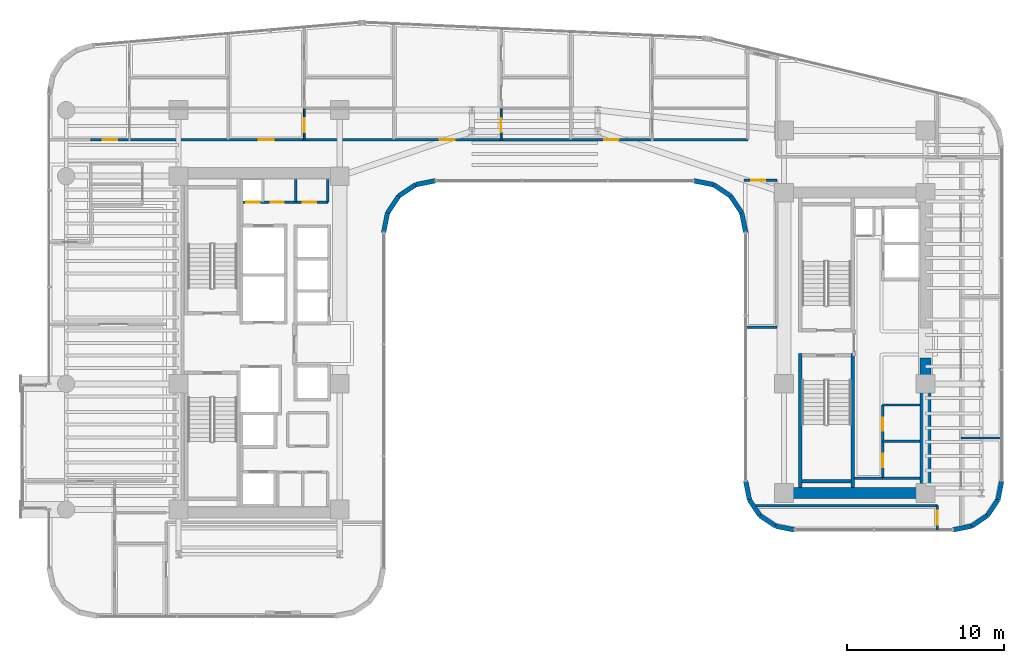
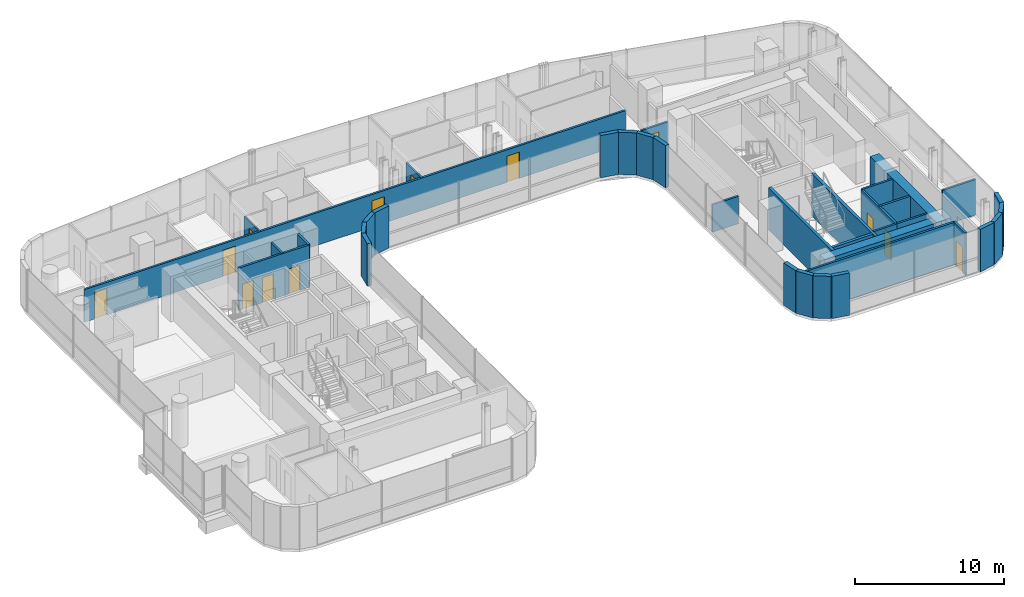
# One storey, part 30 of 38: 37 walls, 13 doors, 13 openings.
"""IFC4 building model written with IfcOpenShell, lengths in metres."""

from ifc_helpers import new_model, si_unit, direction, frame, frame_2d, origin, place, context, subcontext, project, spatial, rectangle, extrude, material, layer, layer_set, type_object, element, fill, save


model = new_model("IFC4")

# Units and contexts
model_context = context("Model", 3, precision=1e-05, world=origin(), true_north=direction((0.0, 1.0)))
body_context = subcontext(model_context, "Body", "Model", "MODEL_VIEW")
ifc_project = project(units=[si_unit("LENGTHUNIT", "METRE"), si_unit("AREAUNIT", "SQUARE_METRE"), si_unit("VOLUMEUNIT", "CUBIC_METRE"), si_unit("PLANEANGLEUNIT", "RADIAN"), si_unit("MASSUNIT", "GRAM", prefix="KILO")], contexts=[model_context])

# Site, building, storey
site_placement = place(None, origin())
site = spatial("IfcSite", under=ifc_project, at=site_placement, CompositionType="ELEMENT")
building_placement = place(site_placement, origin())
building = spatial("IfcBuilding", under=site, at=building_placement, Name="Valdorenza Pilgrim Sanctuary Tower", CompositionType="ELEMENT")
storey_placement = place(building_placement, frame((0.0, 0.0, 131.60009765625)))
storey = spatial("IfcBuildingStorey", under=building, at=storey_placement, Name="L33", CompositionType="ELEMENT", Elevation=131.60009765625)

# Wall, openings, doors
ifc_material_1 = material(Name="Acoustic twin-stud gypsum partition", Category="gypsum")
ifc_layer_1 = layer(ifc_material_1, 0.159912109375, Name="Acoustic twin-stud gypsum partition")
ifc_layer_set_1 = layer_set([ifc_layer_1], Name="Acoustic twin-stud gypsum partition")
wall_type_1 = type_object("IfcWallType", Name="WAL-COR-160", PredefinedType="PARTITIONING", material=ifc_layer_set_1)
wall_1_placement = place(storey_placement, frame((-18.64990234375, 8.949951171875, 0.0), z_axis=(0.0, 0.0, 1.0), x_axis=(1.0, 0.0, 0.0)))
wall_1 = element("IfcWall", 1, at=wall_1_placement, inside=storey, type_object=wall_type_1, Name="L33 Core A North Service South Wall", PredefinedType="PARTITIONING", context=body_context, shape_type="SweptSolid", body=[
    extrude(rectangle(XDim=5.5, YDim=0.159912109375, at=frame_2d((2.75, 0.0))), origin(), (0.0, 0.0, 1.0), 3.4599609375),
])
opening_1_placement = place(wall_1_placement, frame((0.300048828125, 0.0, 0.0)))
opening_1 = element("IfcOpeningElement", 2, at=opening_1_placement, cuts=wall_1, Name="Opening DR-RS1", PredefinedType="OPENING", context=body_context, shape_type="SweptSolid", body=[
    extrude(rectangle(XDim=0.85009765625, YDim=2.050048828125, at=frame_2d((0.425048828125, 1.02490234375))), frame((0.0, 0.0947265625, 0.0), z_axis=(0.0, -1.0, 0.0), x_axis=(1.0, 0.0, 0.0)), (0.0, 0.0, 1.0), 0.189697265625),
])
opening_2_placement = place(wall_1_placement, frame((1.85009765625, 0.0, 0.0)))
opening_2 = element("IfcOpeningElement", 3, at=opening_2_placement, cuts=wall_1, Name="Opening DR-RS1", PredefinedType="OPENING", context=body_context, shape_type="SweptSolid", body=[
    extrude(rectangle(XDim=0.85009765625, YDim=2.050048828125, at=frame_2d((0.425048828125, 1.02490234375))), frame((0.0, 0.0947265625, 0.0), z_axis=(0.0, -1.0, 0.0), x_axis=(1.0, 0.0, 0.0)), (0.0, 0.0, 1.0), 0.189697265625),
])
opening_3_placement = place(wall_1_placement, frame((3.89990234375, 0.0, 0.0)))
opening_3 = element("IfcOpeningElement", 4, at=opening_3_placement, cuts=wall_1, Name="Opening DR-RS1", PredefinedType="OPENING", context=body_context, shape_type="SweptSolid", body=[
    extrude(rectangle(XDim=0.85009765625, YDim=2.050048828125, at=frame_2d((0.425048828125, 1.02490234375))), frame((0.0, 0.0947265625, 0.0), z_axis=(0.0, -1.0, 0.0), x_axis=(1.0, 0.0, 0.0)), (0.0, 0.0, 1.0), 0.189697265625),
])
ifc_material_2 = material(Name="Painted galvanized steel", Category="steel")
door_type_1 = type_object("IfcDoorType", Name="DR-RSR-850", OperationType="NOTDEFINED", PredefinedType="DOOR", material=ifc_material_2)
door_1_placement = place(opening_1_placement, origin())
door_1 = element("IfcDoor", 5, at=door_1_placement, inside=storey, type_object=door_type_1, Name="L33 Core Electrical and Telecom Riser Door", OperationType="SINGLE_SWING_LEFT", OverallHeight=2.050048828125, OverallWidth=0.85009765625, PredefinedType="DOOR", context=body_context, shape_type="SweptSolid", body=[
    extrude(rectangle(XDim=0.85009765625, YDim=2.050048828125, at=frame_2d((0.425048828125, 1.02490234375))), frame((0.0, 0.02490234375, 0.0), z_axis=(0.0, -1.0, 0.0), x_axis=(1.0, 0.0, 0.0)), (0.0, 0.0, 1.0), 0.050048828125),
])
fill(opening_1, door_1)
door_2_placement = place(opening_2_placement, origin())
door_2 = element("IfcDoor", 6, at=door_2_placement, inside=storey, type_object=door_type_1, Name="L33 Housekeeping and Clean Linen Room Door", OperationType="SINGLE_SWING_RIGHT", OverallHeight=2.050048828125, OverallWidth=0.85009765625, PredefinedType="DOOR", context=body_context, shape_type="SweptSolid", body=[
    extrude(rectangle(XDim=0.85009765625, YDim=2.050048828125, at=frame_2d((0.425048828125, 1.02490234375))), frame((0.0, 0.02490234375, 0.0), z_axis=(0.0, -1.0, 0.0), x_axis=(1.0, 0.0, 0.0)), (0.0, 0.0, 1.0), 0.050048828125),
])
fill(opening_2, door_2)
door_3_placement = place(opening_3_placement, origin())
door_3 = element("IfcDoor", 7, at=door_3_placement, inside=storey, type_object=door_type_1, Name="L33 Guest Ice and Vending Pantry Door", OperationType="SINGLE_SWING_LEFT", OverallHeight=2.050048828125, OverallWidth=0.85009765625, PredefinedType="DOOR", context=body_context, shape_type="SweptSolid", body=[
    extrude(rectangle(XDim=0.85009765625, YDim=2.050048828125, at=frame_2d((0.425048828125, 1.02490234375))), frame((0.0, 0.02490234375, 0.0), z_axis=(0.0, -1.0, 0.0), x_axis=(1.0, 0.0, 0.0)), (0.0, 0.0, 1.0), 0.050048828125),
])
fill(opening_3, door_3)

# Walls
for number, where, z_axis, x_axis, name in (
    (8, (-13.14990234375, 8.949951171875, 0.0), (0.0, 0.0, 1.0), (0.0, 1.0, 0.0), "L33 Core A North Service East Wall"),
    (9, (-15.199951171875, 8.949951171875, 0.0), (0.0, 0.0, 1.0), (0.0, 1.0, 0.0), "L33 Core A Housekeeping Split B"),
):
    element("IfcWall", number, at=place(storey_placement, frame(where, z_axis=z_axis, x_axis=x_axis)), inside=storey, type_object=wall_type_1, Name=name, PredefinedType="PARTITIONING", context=body_context, shape_type="SweptSolid", body=[
        extrude(rectangle(XDim=1.429931640625, YDim=0.159912109375, at=frame_2d((0.71484375, 0.0))), origin(), (0.0, 0.0, 1.0), 3.4599609375),
    ])
wall_2_placement = place(storey_placement, frame((20.300048828125, -8.60009765625, 0.0), z_axis=(0.0, 0.0, 1.0), x_axis=(1.0, 0.0, 0.0)))
element("IfcWall", 10, at=wall_2_placement, inside=storey, type_object=wall_type_1, Name="L33 Core B Lift Hall South End Wall", PredefinedType="PARTITIONING", context=body_context, shape_type="SweptSolid", body=[
    extrude(rectangle(XDim=1.820068359375, YDim=0.159912109375, at=frame_2d((0.91015625, 0.0))), origin(), (0.0, 0.0, 1.0), 3.4599609375),
])

# Wall, openings, doors
wall_3_placement = place(storey_placement, frame((22.1201171875, -8.60009765625, 0.0), z_axis=(0.0, 0.0, 1.0), x_axis=(0.0, 1.0, 0.0)))
wall_3 = element("IfcWall", 11, at=wall_3_placement, inside=storey, type_object=wall_type_1, Name="L33 Core B Freed Shaft West Wall", PredefinedType="PARTITIONING", context=body_context, shape_type="SweptSolid", body=[
    extrude(rectangle(XDim=4.650146484375, YDim=0.159912109375, at=frame_2d((2.3251953125, 0.0))), origin(), (0.0, 0.0, 1.0), 3.4599609375),
])
opening_4_placement = place(wall_3_placement, frame((0.699951171875, 0.0, 0.0)))
opening_4 = element("IfcOpeningElement", 12, at=opening_4_placement, cuts=wall_3, Name="Opening DR-RS1", PredefinedType="OPENING", context=body_context, shape_type="SweptSolid", body=[
    extrude(rectangle(XDim=0.85009765625, YDim=2.050048828125, at=frame_2d((0.425048828125, 1.02490234375))), frame((0.0, 0.0947265625, 0.0), z_axis=(0.0, -1.0, 0.0), x_axis=(1.0, 0.0, 0.0)), (0.0, 0.0, 1.0), 0.189697265625),
])
opening_5_placement = place(wall_3_placement, frame((3.0, 0.0, 0.0)))
opening_5 = element("IfcOpeningElement", 13, at=opening_5_placement, cuts=wall_3, Name="Opening DR-RS1", PredefinedType="OPENING", context=body_context, shape_type="SweptSolid", body=[
    extrude(rectangle(XDim=0.85009765625, YDim=2.050048828125, at=frame_2d((0.425048828125, 1.02490234375))), frame((0.0, 0.0947265625, 0.0), z_axis=(0.0, -1.0, 0.0), x_axis=(1.0, 0.0, 0.0)), (0.0, 0.0, 1.0), 0.189697265625),
])
door_4_placement = place(opening_4_placement, origin())
door_4 = element("IfcDoor", 14, at=door_4_placement, inside=storey, type_object=door_type_1, Name="L33 East Core Housekeeping Store Door", OperationType="SINGLE_SWING_LEFT", OverallHeight=2.050048828125, OverallWidth=0.85009765625, PredefinedType="DOOR", context=body_context, shape_type="SweptSolid", body=[
    extrude(rectangle(XDim=0.85009765625, YDim=2.050048828125, at=frame_2d((0.425048828125, 1.02490234375))), frame((0.0, 0.02490234375, 0.0), z_axis=(0.0, -1.0, 0.0), x_axis=(1.0, 0.0, 0.0)), (0.0, 0.0, 1.0), 0.050048828125),
])
fill(opening_4, door_4)
door_5_placement = place(opening_5_placement, origin())
door_5 = element("IfcDoor", 15, at=door_5_placement, inside=storey, type_object=door_type_1, Name="L33 East Core Tea Pantry Door", OperationType="SINGLE_SWING_RIGHT", OverallHeight=2.050048828125, OverallWidth=0.85009765625, PredefinedType="DOOR", context=body_context, shape_type="SweptSolid", body=[
    extrude(rectangle(XDim=0.85009765625, YDim=2.050048828125, at=frame_2d((0.425048828125, 1.02490234375))), frame((0.0, 0.02490234375, 0.0), z_axis=(0.0, -1.0, 0.0), x_axis=(1.0, 0.0, 0.0)), (0.0, 0.0, 1.0), 0.050048828125),
])
fill(opening_5, door_5)

# Wall
wall_4_placement = place(storey_placement, frame((22.1201171875, -6.25, 0.0), z_axis=(0.0, 0.0, 1.0), x_axis=(1.0, 0.0, 0.0)))
element("IfcWall", 16, at=wall_4_placement, inside=storey, type_object=wall_type_1, Name="L33 Core B Freed Split", PredefinedType="PARTITIONING", context=body_context, shape_type="SweptSolid", body=[
    extrude(rectangle(XDim=2.3798828125, YDim=0.159912109375, at=frame_2d((1.18994140625, 0.0))), origin(), (0.0, 0.0, 1.0), 3.4599609375),
])

# Wall, openings, doors
wall_5_placement = place(storey_placement, frame((-28.25, 12.919921875, 0.0), z_axis=(0.0, 0.0, 1.0), x_axis=(1.0, 0.0, 0.0)))
wall_5 = element("IfcWall", 17, at=wall_5_placement, inside=storey, type_object=wall_type_1, Name="L33 North Corridor Wall", PredefinedType="PARTITIONING", context=body_context, shape_type="SweptSolid", body=[
    extrude(rectangle(XDim=41.800048828125, YDim=0.159912109375, at=frame_2d((20.89990234375, 0.0))), origin(), (0.0, 0.0, 1.0), 2.666015625),
])
opening_6_placement = place(wall_5_placement, frame((0.762939453125, 0.0, 0.0)))
opening_6 = element("IfcOpeningElement", 18, at=opening_6_placement, cuts=wall_5, Name="Opening DR-UN1", PredefinedType="OPENING", context=body_context, shape_type="SweptSolid", body=[
    extrude(rectangle(XDim=0.949951171875, YDim=2.14990234375, at=frame_2d((0.47509765625, 1.074951171875))), frame((0.0, 0.0947265625, 0.0), z_axis=(0.0, -1.0, 0.0), x_axis=(1.0, 0.0, 0.0)), (0.0, 0.0, 1.0), 0.189697265625),
])
opening_7_placement = place(wall_5_placement, frame((10.696044921875, 0.0, 0.0)))
opening_7 = element("IfcOpeningElement", 19, at=opening_7_placement, cuts=wall_5, Name="Opening DR-UN1", PredefinedType="OPENING", context=body_context, shape_type="SweptSolid", body=[
    extrude(rectangle(XDim=0.949951171875, YDim=2.14990234375, at=frame_2d((0.47509765625, 1.074951171875))), frame((0.0, 0.0947265625, 0.0), z_axis=(0.0, -1.0, 0.0), x_axis=(1.0, 0.0, 0.0)), (0.0, 0.0, 1.0), 0.189697265625),
])
opening_8_placement = place(wall_5_placement, frame((22.215087890625, 0.0, 0.0)))
opening_8 = element("IfcOpeningElement", 20, at=opening_8_placement, cuts=wall_5, Name="Opening DR-UN1", PredefinedType="OPENING", context=body_context, shape_type="SweptSolid", body=[
    extrude(rectangle(XDim=0.949951171875, YDim=2.14990234375, at=frame_2d((0.47509765625, 1.074951171875))), frame((0.0, 0.0947265625, 0.0), z_axis=(0.0, -1.0, 0.0), x_axis=(1.0, 0.0, 0.0)), (0.0, 0.0, 1.0), 0.189697265625),
])
opening_9_placement = place(wall_5_placement, frame((32.652099609375, 0.0, 0.0)))
opening_9 = element("IfcOpeningElement", 21, at=opening_9_placement, cuts=wall_5, Name="Opening DR-UN1", PredefinedType="OPENING", context=body_context, shape_type="SweptSolid", body=[
    extrude(rectangle(XDim=0.949951171875, YDim=2.14990234375, at=frame_2d((0.47509765625, 1.074951171875))), frame((0.0, 0.0947265625, 0.0), z_axis=(0.0, -1.0, 0.0), x_axis=(1.0, 0.0, 0.0)), (0.0, 0.0, 1.0), 0.189697265625),
])
ifc_material_3 = material(Name="Solid-core European oak timber", Category="wood")
door_type_2 = type_object("IfcDoorType", Name="DR-UNIT-950", OperationType="NOTDEFINED", PredefinedType="DOOR", material=ifc_material_3)
door_6_placement = place(opening_6_placement, origin())
door_6 = element("IfcDoor", 22, at=door_6_placement, inside=storey, type_object=door_type_2, Name="L33 North Sanctuary Apartment L33-N1 Entrance Door", OperationType="SINGLE_SWING_RIGHT", OverallHeight=2.14990234375, OverallWidth=0.949951171875, PredefinedType="DOOR", context=body_context, shape_type="SweptSolid", body=[
    extrude(rectangle(XDim=0.949951171875, YDim=2.14990234375, at=frame_2d((0.47509765625, 1.074951171875))), frame((0.0, 0.02490234375, 0.0), z_axis=(0.0, -1.0, 0.0), x_axis=(1.0, 0.0, 0.0)), (0.0, 0.0, 1.0), 0.050048828125),
])
fill(opening_6, door_6)
door_7_placement = place(opening_7_placement, origin())
door_7 = element("IfcDoor", 23, at=door_7_placement, inside=storey, type_object=door_type_2, Name="L33 North Sanctuary Apartment L33-N2 Entrance Door", OperationType="SINGLE_SWING_RIGHT", OverallHeight=2.14990234375, OverallWidth=0.949951171875, PredefinedType="DOOR", context=body_context, shape_type="SweptSolid", body=[
    extrude(rectangle(XDim=0.949951171875, YDim=2.14990234375, at=frame_2d((0.47509765625, 1.074951171875))), frame((0.0, 0.02490234375, 0.0), z_axis=(0.0, -1.0, 0.0), x_axis=(1.0, 0.0, 0.0)), (0.0, 0.0, 1.0), 0.050048828125),
])
fill(opening_7, door_7)
door_8_placement = place(opening_8_placement, origin())
door_8 = element("IfcDoor", 24, at=door_8_placement, inside=storey, type_object=door_type_2, Name="L33 North Sanctuary Apartment L33-N3 Entrance Door", OperationType="SINGLE_SWING_RIGHT", OverallHeight=2.14990234375, OverallWidth=0.949951171875, PredefinedType="DOOR", context=body_context, shape_type="SweptSolid", body=[
    extrude(rectangle(XDim=0.949951171875, YDim=2.14990234375, at=frame_2d((0.47509765625, 1.074951171875))), frame((0.0, 0.02490234375, 0.0), z_axis=(0.0, -1.0, 0.0), x_axis=(1.0, 0.0, 0.0)), (0.0, 0.0, 1.0), 0.050048828125),
])
fill(opening_8, door_8)
door_9_placement = place(opening_9_placement, origin())
door_9 = element("IfcDoor", 25, at=door_9_placement, inside=storey, type_object=door_type_2, Name="L33 North Sanctuary Apartment L33-N4 Entrance Door", OperationType="SINGLE_SWING_RIGHT", OverallHeight=2.14990234375, OverallWidth=0.949951171875, PredefinedType="DOOR", context=body_context, shape_type="SweptSolid", body=[
    extrude(rectangle(XDim=0.949951171875, YDim=2.14990234375, at=frame_2d((0.47509765625, 1.074951171875))), frame((0.0, 0.02490234375, 0.0), z_axis=(0.0, -1.0, 0.0), x_axis=(1.0, 0.0, 0.0)), (0.0, 0.0, 1.0), 0.050048828125),
])
fill(opening_9, door_9)

# Wall, opening, door
wall_6_placement = place(storey_placement, frame((25.60009765625, -11.889892578125, 0.0), z_axis=(0.0, 0.0, 1.0), x_axis=(0.0, 1.0, 0.0)))
wall_6 = element("IfcWall", 26, at=wall_6_placement, inside=storey, type_object=wall_type_1, Name="L33 Wing B South-East Wall", PredefinedType="PARTITIONING", context=body_context, shape_type="SweptSolid", body=[
    extrude(rectangle(XDim=1.539794921875, YDim=0.159912109375, at=frame_2d((0.77001953125, 0.0))), origin(), (0.0, 0.0, 1.0), 3.4599609375),
])
opening_10_placement = place(wall_6_placement, frame((0.320068359375, 0.0, 0.0)))
opening_10 = element("IfcOpeningElement", 27, at=opening_10_placement, cuts=wall_6, Name="Opening DR-RM1", PredefinedType="OPENING", context=body_context, shape_type="SweptSolid", body=[
    extrude(rectangle(XDim=0.89990234375, YDim=2.10009765625, at=frame_2d((0.449951171875, 1.050048828125))), frame((0.0, 0.0947265625, 0.0), z_axis=(0.0, -1.0, 0.0), x_axis=(1.0, 0.0, 0.0)), (0.0, 0.0, 1.0), 0.189697265625),
])
door_type_3 = type_object("IfcDoorType", Name="DR-ROOM-900", OperationType="NOTDEFINED", PredefinedType="DOOR", material=ifc_material_3)
door_10_placement = place(opening_10_placement, frame((0.89990234375, 0.0, 0.0), z_axis=(0.0, 0.0, 1.0), x_axis=(-1.0, 0.0, 0.0)))
door_10 = element("IfcDoor", 28, at=door_10_placement, inside=storey, type_object=door_type_3, Name="L33 Sacred Manuscript Archive L33-BS Door", OperationType="SINGLE_SWING_LEFT", OverallHeight=2.10009765625, OverallWidth=0.89990234375, PredefinedType="DOOR", context=body_context, shape_type="SweptSolid", body=[
    extrude(rectangle(XDim=0.89990234375, YDim=2.10009765625, at=frame_2d((0.449951171875, 1.050048828125))), frame((0.0, 0.02490234375, 0.0), z_axis=(0.0, -1.0, 0.0), x_axis=(1.0, 0.0, 0.0)), (0.0, 0.0, 1.0), 0.050048828125),
])
fill(opening_10, door_10)

# Wall
wall_7_placement = place(storey_placement, frame((14.043701171875, -10.35009765625, 0.0), z_axis=(0.0, 0.0, 1.0), x_axis=(1.0, 0.0, 0.0)))
element("IfcWall", 29, at=wall_7_placement, inside=storey, type_object=wall_type_1, Name="L33 Wing B South Closure", PredefinedType="PARTITIONING", context=body_context, shape_type="SweptSolid", body=[
    extrude(rectangle(XDim=11.556396484375, YDim=0.159912109375, at=frame_2d((5.7783203125, 0.0))), origin(), (0.0, 0.0, 1.0), 3.4599609375),
])

# Wall, opening, door
wall_8_placement = place(storey_placement, frame((13.300048828125, 10.35009765625, 0.0), z_axis=(0.0, 0.0, 1.0), x_axis=(1.0, 0.0, 0.0)))
wall_8 = element("IfcWall", 30, at=wall_8_placement, inside=storey, type_object=wall_type_1, Name="L33 Courtyard Overlook North Wall", PredefinedType="PARTITIONING", context=body_context, shape_type="SweptSolid", body=[
    extrude(rectangle(XDim=2.099853515625, YDim=0.159912109375, at=frame_2d((1.0498046875, 0.0))), origin(), (0.0, 0.0, 1.0), 2.666015625),
])
opening_11_placement = place(wall_8_placement, frame((0.449951171875, 0.0, 0.0)))
opening_11 = element("IfcOpeningElement", 31, at=opening_11_placement, cuts=wall_8, Name="Opening DR-RM1", PredefinedType="OPENING", context=body_context, shape_type="SweptSolid", body=[
    extrude(rectangle(XDim=0.89990234375, YDim=2.10009765625, at=frame_2d((0.449951171875, 1.050048828125))), frame((0.0, 0.0947265625, 0.0), z_axis=(0.0, -1.0, 0.0), x_axis=(1.0, 0.0, 0.0)), (0.0, 0.0, 1.0), 0.189697265625),
])
door_11_placement = place(opening_11_placement, origin())
door_11 = element("IfcDoor", 32, at=door_11_placement, inside=storey, type_object=door_type_3, Name="L33 Courtyard Overlook Salon Door", OperationType="SINGLE_SWING_RIGHT", OverallHeight=2.10009765625, OverallWidth=0.89990234375, PredefinedType="DOOR", context=body_context, shape_type="SweptSolid", body=[
    extrude(rectangle(XDim=0.89990234375, YDim=2.10009765625, at=frame_2d((0.449951171875, 1.050048828125))), frame((0.0, 0.02490234375, 0.0), z_axis=(0.0, -1.0, 0.0), x_axis=(1.0, 0.0, 0.0)), (0.0, 0.0, 1.0), 0.050048828125),
])
fill(opening_11, door_11)

# Walls
wall_9_placement = place(storey_placement, frame((13.409912109375, 1.0, 0.0), z_axis=(0.0, 0.0, 1.0), x_axis=(1.0, 0.0, 0.0)))
element("IfcWall", 33, at=wall_9_placement, inside=storey, type_object=wall_type_1, Name="L33 Courtyard Overlook South Wall", PredefinedType="PARTITIONING", context=body_context, shape_type="SweptSolid", body=[
    extrude(rectangle(XDim=1.989990234375, YDim=0.159912109375, at=frame_2d((0.9951171875, 0.0))), origin(), (0.0, 0.0, 1.0), 2.244873046875),
])
ifc_material_4 = material(Name="Concrete C60/75", Category="concrete")
ifc_layer_2 = layer(ifc_material_4, 0.699951171875, Name="Concrete C60/75")
ifc_layer_set_2 = layer_set([ifc_layer_2], Name="Concrete C60/75")
wall_type_2 = type_object("IfcWallType", Name="WAL-COR-700", PredefinedType="SHEAR", material=ifc_layer_set_2)
wall_10_placement = place(storey_placement, frame((24.85009765625, -9.89990234375, 0.0), z_axis=(0.0, 0.0, 1.0), x_axis=(0.0, 1.0, 0.0)))
element("IfcWall", 34, at=wall_10_placement, inside=storey, type_object=wall_type_2, Name="L33 Split Core B Shear Wall ES", PredefinedType="SHEAR", context=body_context, shape_type="SweptSolid", body=[
    extrude(rectangle(XDim=8.949951171875, YDim=0.699951171875, at=frame_2d((4.47509765625, 0.0))), origin(), (0.0, 0.0, 1.0), 3.4599609375),
])
wall_11_placement = place(storey_placement, frame((15.85009765625, -9.550048828125, 0.0), z_axis=(0.0, 0.0, 1.0), x_axis=(1.0, 0.0, 0.0)))
element("IfcWall", 35, at=wall_11_placement, inside=storey, type_object=wall_type_2, Name="L33 Split Core B Shear Wall S", PredefinedType="SHEAR", context=body_context, shape_type="SweptSolid", body=[
    extrude(rectangle(XDim=9.0, YDim=0.699951171875, at=frame_2d((4.5, 0.0))), origin(), (0.0, 0.0, 1.0), 3.4599609375),
])
ifc_material_5 = material(Name="Honed travertine limestone", Category="masonry")
ifc_layer_3 = layer(ifc_material_5, 0.300048828125, Name="Honed travertine limestone")
ifc_layer_set_3 = layer_set([ifc_layer_3], Name="Honed travertine limestone")
wall_type_3 = type_object("IfcWallType", Name="WAL-EXT-300", PredefinedType="SOLIDWALL", material=ifc_layer_set_3)
wall_12_placement = place(storey_placement, frame((29.68994140625, -8.789306640625, 0.0), z_axis=(0.0, 0.0, 1.0), x_axis=(-0.194996050505, -0.980804027463, 0.0)))
element("IfcWall", 36, at=wall_12_placement, inside=storey, type_object=wall_type_3, Name="L33 Rounded Wind-Corner Stone Pier 22", PredefinedType="SOLIDWALL", context=body_context, shape_type="SweptSolid", body=[
    extrude(rectangle(XDim=1.2158203125, YDim=0.300048828125, at=frame_2d((0.60791015625, 0.0))), origin(), (0.0, 0.0, 1.0), 3.4599609375),
])
for number, where, z_axis, x_axis, name in (
    (37, (29.452880859375, -9.981689453125, 0.0), (0.0, 0.0, 1.0), (-0.555635100982, -0.831426265255, 0.0), "L33 Rounded Wind-Corner Stone Pier 23"),
    (38, (28.783447265625, -10.9833984375, 0.0), (0.0, 0.0, 1.0), (-0.831426265255, -0.555635100982, 0.0), "L33 Rounded Wind-Corner Stone Pier 24"),
):
    element("IfcWall", number, at=place(storey_placement, frame(where, z_axis=z_axis, x_axis=x_axis)), inside=storey, type_object=wall_type_3, Name=name, PredefinedType="SOLIDWALL", context=body_context, shape_type="SweptSolid", body=[
        extrude(rectangle(XDim=1.204833984375, YDim=0.300048828125, at=frame_2d((0.6025390625, 0.0))), origin(), (0.0, 0.0, 1.0), 3.4599609375),
    ])
wall_13_placement = place(storey_placement, frame((27.78173828125, -11.65283203125, 0.0), z_axis=(0.0, 0.0, 1.0), x_axis=(-0.980811661072, -0.194957650543, 0.0)))
element("IfcWall", 39, at=wall_13_placement, inside=storey, type_object=wall_type_3, Name="L33 Rounded Wind-Corner Stone Pier 25", PredefinedType="SOLIDWALL", context=body_context, shape_type="SweptSolid", body=[
    extrude(rectangle(XDim=1.216064453125, YDim=0.300048828125, at=frame_2d((0.60791015625, 0.0))), origin(), (0.0, 0.0, 1.0), 3.4599609375),
])
wall_14_placement = place(storey_placement, frame((16.5107421875, -11.889892578125, 0.0), z_axis=(0.0, 0.0, 1.0), x_axis=(-0.980804027463, 0.194996050505, 0.0)))
element("IfcWall", 40, at=wall_14_placement, inside=storey, type_object=wall_type_3, Name="L33 Rounded Wind-Corner Stone Pier 27", PredefinedType="SOLIDWALL", context=body_context, shape_type="SweptSolid", body=[
    extrude(rectangle(XDim=1.2158203125, YDim=0.300048828125, at=frame_2d((0.60791015625, 0.0))), origin(), (0.0, 0.0, 1.0), 3.4599609375),
])
for number, where, z_axis, x_axis, name in (
    (41, (15.318359375, -11.65283203125, 0.0), (0.0, 0.0, 1.0), (-0.831426265255, 0.555635100982, 0.0), "L33 Rounded Wind-Corner Stone Pier 28"),
    (42, (14.316650390625, -10.9833984375, 0.0), (0.0, 0.0, 1.0), (-0.555635100982, 0.831426265255, 0.0), "L33 Rounded Wind-Corner Stone Pier 29"),
):
    element("IfcWall", number, at=place(storey_placement, frame(where, z_axis=z_axis, x_axis=x_axis)), inside=storey, type_object=wall_type_3, Name=name, PredefinedType="SOLIDWALL", context=body_context, shape_type="SweptSolid", body=[
        extrude(rectangle(XDim=1.204833984375, YDim=0.300048828125, at=frame_2d((0.6025390625, 0.0))), origin(), (0.0, 0.0, 1.0), 3.4599609375),
    ])
wall_15_placement = place(storey_placement, frame((13.647216796875, -9.981689453125, 0.0), z_axis=(0.0, 0.0, 1.0), x_axis=(-0.195189223115, 0.980765602568, 0.0)))
element("IfcWall", 43, at=wall_15_placement, inside=storey, type_object=wall_type_3, Name="L33 Rounded Wind-Corner Stone Pier 30", PredefinedType="SOLIDWALL", context=body_context, shape_type="SweptSolid", body=[
    extrude(rectangle(XDim=1.2158203125, YDim=0.300048828125, at=frame_2d((0.60791015625, 0.0))), origin(), (0.0, 0.0, 1.0), 3.4599609375),
])
wall_16_placement = place(storey_placement, frame((13.409912109375, 7.0107421875, 0.0), z_axis=(0.0, 0.0, 1.0), x_axis=(-0.195090163074, 0.980785312019, 0.0)))
element("IfcWall", 44, at=wall_16_placement, inside=storey, type_object=wall_type_3, Name="L33 Rounded Wind-Corner Stone Pier 32", PredefinedType="SOLIDWALL", context=body_context, shape_type="SweptSolid", body=[
    extrude(rectangle(XDim=1.281494140625, YDim=0.300048828125, at=frame_2d((0.640625, 0.0))), origin(), (0.0, 0.0, 1.0), 3.4599609375),
])
for number, where, z_axis, x_axis, name in (
    (45, (13.159912109375, 8.267578125, 0.0), (0.0, 0.0, 1.0), (-0.555615398575, 0.831439431869, 0.0), "L33 Rounded Wind-Corner Stone Pier 33"),
    (46, (12.44189453125, 9.342041015625, 0.0), (0.0, 0.0, 1.0), (-0.831439431869, 0.555615398575, 0.0), "L33 Rounded Wind-Corner Stone Pier 34"),
):
    element("IfcWall", number, at=place(storey_placement, frame(where, z_axis=z_axis, x_axis=x_axis)), inside=storey, type_object=wall_type_3, Name=name, PredefinedType="SOLIDWALL", context=body_context, shape_type="SweptSolid", body=[
        extrude(rectangle(XDim=1.292236328125, YDim=0.300048828125, at=frame_2d((0.64599609375, 0.0))), origin(), (0.0, 0.0, 1.0), 3.4599609375),
    ])
for number, where, z_axis, x_axis, name in (
    (47, (11.367431640625, 10.06005859375, 0.0), (0.0, 0.0, 1.0), (-0.980778058848, 0.195126623715, 0.0), "L33 Rounded Wind-Corner Stone Pier 35"),
    (48, (-6.310791015625, 10.31005859375, 0.0), (0.0, 0.0, 1.0), (-0.980778058848, -0.195126623715, 0.0), "L33 Rounded Wind-Corner Stone Pier 37"),
):
    element("IfcWall", number, at=place(storey_placement, frame(where, z_axis=z_axis, x_axis=x_axis)), inside=storey, type_object=wall_type_3, Name=name, PredefinedType="SOLIDWALL", context=body_context, shape_type="SweptSolid", body=[
        extrude(rectangle(XDim=1.28125, YDim=0.300048828125, at=frame_2d((0.640625, 0.0))), origin(), (0.0, 0.0, 1.0), 3.4599609375),
    ])
wall_17_placement = place(storey_placement, frame((-7.5673828125, 10.06005859375, 0.0), z_axis=(0.0, 0.0, 1.0), x_axis=(-0.831497739511, -0.555528135371, 0.0)))
element("IfcWall", 49, at=wall_17_placement, inside=storey, type_object=wall_type_3, Name="L33 Rounded Wind-Corner Stone Pier 38", PredefinedType="SOLIDWALL", context=body_context, shape_type="SweptSolid", body=[
    extrude(rectangle(XDim=1.29248046875, YDim=0.300048828125, at=frame_2d((0.646240234375, 0.0))), origin(), (0.0, 0.0, 1.0), 3.4599609375),
])
wall_18_placement = place(storey_placement, frame((-8.64208984375, 9.342041015625, 0.0), z_axis=(0.0, 0.0, 1.0), x_axis=(-0.555615398575, -0.831439431869, 0.0)))
element("IfcWall", 50, at=wall_18_placement, inside=storey, type_object=wall_type_3, Name="L33 Rounded Wind-Corner Stone Pier 39", PredefinedType="SOLIDWALL", context=body_context, shape_type="SweptSolid", body=[
    extrude(rectangle(XDim=1.292236328125, YDim=0.300048828125, at=frame_2d((0.64599609375, 0.0))), origin(), (0.0, 0.0, 1.0), 3.4599609375),
])
wall_19_placement = place(storey_placement, frame((-9.360107421875, 8.267578125, 0.0), z_axis=(0.0, 0.0, 1.0), x_axis=(-0.195090163074, -0.980785312019, 0.0)))
element("IfcWall", 51, at=wall_19_placement, inside=storey, type_object=wall_type_3, Name="L33 Rounded Wind-Corner Stone Pier 40", PredefinedType="SOLIDWALL", context=body_context, shape_type="SweptSolid", body=[
    extrude(rectangle(XDim=1.281494140625, YDim=0.300048828125, at=frame_2d((0.640625, 0.0))), origin(), (0.0, 0.0, 1.0), 3.4599609375),
])

# Wall, opening, door
ifc_material_6 = material(Name="Moisture-resistant gypsum partition", Category="gypsum")
ifc_layer_4 = layer(ifc_material_6, 0.1201171875, Name="Moisture-resistant gypsum partition")
ifc_layer_set_4 = layer_set([ifc_layer_4], Name="Moisture-resistant gypsum partition")
wall_type_4 = type_object("IfcWallType", Name="WAL-INT-120", PredefinedType="PARTITIONING", material=ifc_layer_set_4)
wall_20_placement = place(storey_placement, frame((-14.658447265625, 12.840087890625, 0.0), z_axis=(0.0, 0.0, 1.0), x_axis=(0.0, 1.0, 0.0)))
wall_20 = element("IfcWall", 52, at=wall_20_placement, inside=storey, type_object=wall_type_4, Name="L33 North Sanctuary Apartment L33-N2 Kitchen Door Wall", PredefinedType="PARTITIONING", context=body_context, shape_type="SweptSolid", body=[
    extrude(rectangle(XDim=2.079833984375, YDim=0.1201171875, at=frame_2d((1.0400390625, 0.0))), origin(), (0.0, 0.0, 1.0), 2.666015625),
])
opening_12_placement = place(wall_20_placement, frame((0.550048828125, 0.0, 0.0)))
opening_12 = element("IfcOpeningElement", 53, at=opening_12_placement, cuts=wall_20, Name="Opening DR-RM1", PredefinedType="OPENING", context=body_context, shape_type="SweptSolid", body=[
    extrude(rectangle(XDim=0.89990234375, YDim=2.10009765625, at=frame_2d((0.449951171875, 1.050048828125))), frame((0.0, 0.074951171875, 0.0), z_axis=(0.0, -1.0, 0.0), x_axis=(1.0, 0.0, 0.0)), (0.0, 0.0, 1.0), 0.14990234375),
])
door_12_placement = place(opening_12_placement, origin())
door_12 = element("IfcDoor", 54, at=door_12_placement, inside=storey, type_object=door_type_3, Name="L33 North Sanctuary Apartment L33-N2 Kitchen Door", OperationType="SINGLE_SWING_RIGHT", OverallHeight=2.10009765625, OverallWidth=0.89990234375, PredefinedType="DOOR", context=body_context, shape_type="SweptSolid", body=[
    extrude(rectangle(XDim=0.89990234375, YDim=2.10009765625, at=frame_2d((0.449951171875, 1.050048828125))), frame((0.0, 0.02490234375, 0.0), z_axis=(0.0, -1.0, 0.0), x_axis=(1.0, 0.0, 0.0)), (0.0, 0.0, 1.0), 0.050048828125),
])
fill(opening_12, door_12)

wall_21_placement = place(storey_placement, frame((-2.14453125, 12.840087890625, 0.0), z_axis=(0.0, 0.0, 1.0), x_axis=(0.0, 1.0, 0.0)))
wall_21 = element("IfcWall", 55, at=wall_21_placement, inside=storey, type_object=wall_type_4, Name="L33 North Sanctuary Apartment L33-N3 Kitchen Door Wall", PredefinedType="PARTITIONING", context=body_context, shape_type="SweptSolid", body=[
    extrude(rectangle(XDim=2.079833984375, YDim=0.1201171875, at=frame_2d((1.0400390625, 0.0))), origin(), (0.0, 0.0, 1.0), 2.666015625),
])
opening_13_placement = place(wall_21_placement, frame((0.550048828125, 0.0, 0.0)))
opening_13 = element("IfcOpeningElement", 56, at=opening_13_placement, cuts=wall_21, Name="Opening DR-RM1", PredefinedType="OPENING", context=body_context, shape_type="SweptSolid", body=[
    extrude(rectangle(XDim=0.89990234375, YDim=2.10009765625, at=frame_2d((0.449951171875, 1.050048828125))), frame((0.0, 0.074951171875, 0.0), z_axis=(0.0, -1.0, 0.0), x_axis=(1.0, 0.0, 0.0)), (0.0, 0.0, 1.0), 0.14990234375),
])
door_13_placement = place(opening_13_placement, origin())
door_13 = element("IfcDoor", 57, at=door_13_placement, inside=storey, type_object=door_type_3, Name="L33 North Sanctuary Apartment L33-N3 Kitchen Door", OperationType="SINGLE_SWING_RIGHT", OverallHeight=2.10009765625, OverallWidth=0.89990234375, PredefinedType="DOOR", context=body_context, shape_type="SweptSolid", body=[
    extrude(rectangle(XDim=0.89990234375, YDim=2.10009765625, at=frame_2d((0.449951171875, 1.050048828125))), frame((0.0, 0.02490234375, 0.0), z_axis=(0.0, -1.0, 0.0), x_axis=(1.0, 0.0, 0.0)), (0.0, 0.0, 1.0), 0.050048828125),
])
fill(opening_13, door_13)

# Walls
ifc_material_7 = material(Name="Concrete C40/50", Category="concrete")
ifc_layer_5 = layer(ifc_material_7, 0.219970703125, Name="Concrete C40/50")
ifc_layer_set_5 = layer_set([ifc_layer_5], Name="Concrete C40/50")
wall_type_5 = type_object("IfcWallType", Name="WAL-STR-SHF-220", PredefinedType="SHEAR", material=ifc_layer_set_5)
for number, where, z_axis, x_axis, name in (
    (58, (16.889892578125, -9.199951171875, 0.0), (0.0, 0.0, 1.0), (0.0, 1.0, 0.0), "L33 ST-B2 Structural Stairwell Wall W"),
    (59, (20.219970703125, -9.199951171875, 0.0), (0.0, 0.0, 1.0), (0.0, 1.0, 0.0), "L33 ST-B2 Structural Stairwell Wall E"),
):
    element("IfcWall", number, at=place(storey_placement, frame(where, z_axis=z_axis, x_axis=x_axis)), inside=storey, type_object=wall_type_5, Name=name, PredefinedType="SHEAR", context=body_context, shape_type="SweptSolid", body=[
        extrude(rectangle(XDim=8.52001953125, YDim=0.219970703125, at=frame_2d((4.260009765625, 0.0))), origin(), (0.0, 0.0, 1.0), 3.4599609375),
    ])
wall_22_placement = place(storey_placement, frame((17.0, -8.81005859375, 0.0), z_axis=(0.0, 0.0, 1.0), x_axis=(1.0, 0.0, 0.0)))
element("IfcWall", 60, at=wall_22_placement, inside=storey, type_object=wall_type_5, Name="L33 ST-B2 Structural Stairwell Wall S", PredefinedType="SHEAR", context=body_context, shape_type="SweptSolid", body=[
    extrude(rectangle(XDim=3.110107421875, YDim=0.219970703125, at=frame_2d((1.55517578125, 0.0))), origin(), (0.0, 0.0, 1.0), 3.4599609375),
])
ifc_layer_6 = layer(ifc_material_1, 0.14990234375, Name="Acoustic twin-stud gypsum partition")
ifc_layer_set_6 = layer_set([ifc_layer_6], Name="Acoustic twin-stud gypsum partition")
wall_type_6 = type_object("IfcWallType", Name="WAL-UNT-150", PredefinedType="PARTITIONING", material=ifc_layer_set_6)
for number, where, z_axis, x_axis, name in (
    (61, (22.1201171875, -3.949951171875, 0.0), (0.0, 0.0, 1.0), (1.0, 0.0, 0.0), "L33 Core B Freed Shaft North Wall"),
    (62, (22.1201171875, -8.60009765625, 0.0), (0.0, 0.0, 1.0), (1.0, 0.0, 0.0), "L33 Core B Freed Shaft South Wall"),
):
    element("IfcWall", number, at=place(storey_placement, frame(where, z_axis=z_axis, x_axis=x_axis)), inside=storey, type_object=wall_type_6, Name=name, PredefinedType="PARTITIONING", context=body_context, shape_type="SweptSolid", body=[
        extrude(rectangle(XDim=2.3798828125, YDim=0.14990234375, at=frame_2d((1.18994140625, 0.0))), origin(), (0.0, 0.0, 1.0), 3.4599609375),
    ])
wall_23_placement = place(storey_placement, frame((27.10009765625, -6.050048828125, 0.0), z_axis=(0.0, 0.0, 1.0), x_axis=(1.0, 0.0, 0.0)))
element("IfcWall", 63, at=wall_23_placement, inside=storey, type_object=wall_type_6, Name="L33 East Reading Lounge L33-EB2 Demising Wall", PredefinedType="PARTITIONING", context=body_context, shape_type="SweptSolid", body=[
    extrude(rectangle(XDim=2.58984375, YDim=0.14990234375, at=frame_2d((1.294921875, 0.0))), origin(), (0.0, 0.0, 1.0), 2.89599609375),
])

save(model, "model.ifc")
